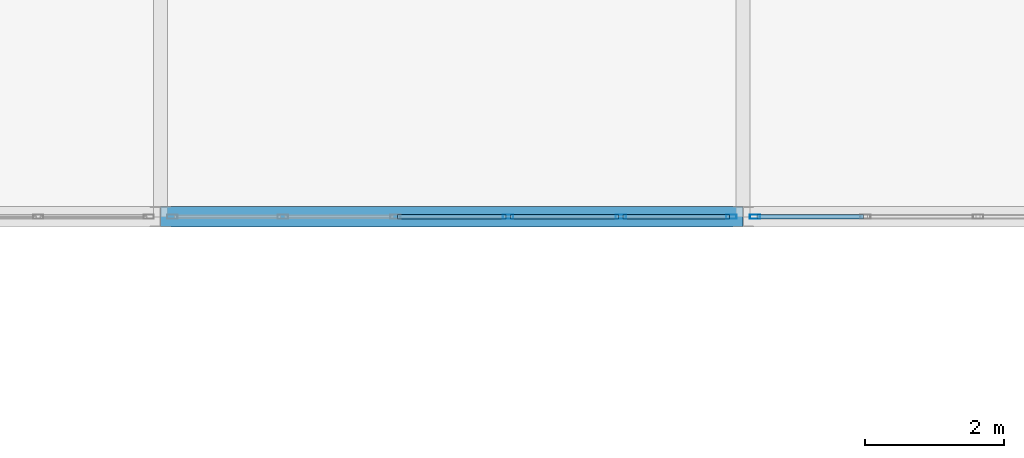
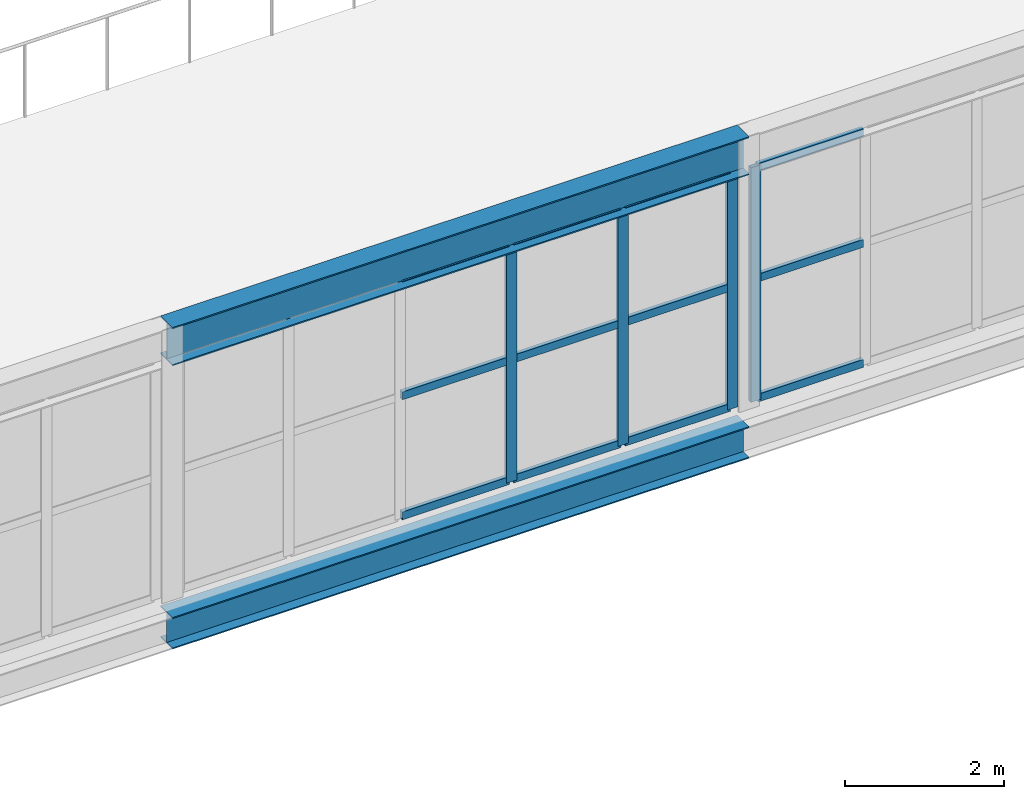
# One storey, part 92 of 218: 16 members, 2 beams, 2 elements without a shape of their own.
"""IFC4 building model written with IfcOpenShell, lengths in metres."""

from ifc_helpers import new_model, si_unit, direction, frame, origin, origin_2d, place, context, subcontext, project, spatial, hollow_rectangle, i_section, extrude, material, material_profile, profile_set, type_object, element, aggregate, save


model = new_model("IFC4")

# Units and contexts
model_context = context("Model", 3, precision=1e-05, world=origin(), true_north=direction((0.0, 1.0)))
body_context = subcontext(model_context, "Body", "Model", "MODEL_VIEW")
ifc_project = project(units=[si_unit("LENGTHUNIT", "METRE"), si_unit("AREAUNIT", "SQUARE_METRE"), si_unit("VOLUMEUNIT", "CUBIC_METRE"), si_unit("PLANEANGLEUNIT", "RADIAN"), si_unit("MASSUNIT", "GRAM", prefix="KILO")], contexts=[model_context])

# Site, building, storey
site_placement = place(None, origin())
site = spatial("IfcSite", under=ifc_project, at=site_placement, CompositionType="ELEMENT")
building_placement = place(site_placement, origin())
building = spatial("IfcBuilding", under=site, at=building_placement, Name="Kazenagashi Tramway Depot", CompositionType="ELEMENT")
storey_placement = place(building_placement, frame((0.0, 0.0, 6.0)))
storey = spatial("IfcBuildingStorey", under=building, at=storey_placement, Name="L02", CompositionType="ELEMENT", Elevation=6.0)

# Curtain wall, members
ifc_material_1 = material(Name="Anodised Aluminium and Low-E Glazing", Category="aluminium")
curtain_wall_type = type_object("IfcCurtainWallType", Name="CW-11", PredefinedType="USERDEFINED", material=ifc_material_1)
curtain_wall_1_placement = place(storey_placement, origin())
curtain_wall_1 = element("IfcCurtainWall", 1, at=curtain_wall_1_placement, inside=storey, type_object=curtain_wall_type, Name="Industrial Glazed Screen CW-11 CW-0023", ObjectType="GLAZED SCREEN", PredefinedType="USERDEFINED")
ifc_material_2 = material(Name="Anodised Aluminium", Category="aluminium")
ifc_material_profile_1 = material_profile(ifc_material_2, hollow_rectangle(XDim=0.06, YDim=0.15, WallThickness=0.004, at=origin_2d()), Name="RHS-150x60x4")
ifc_profile_set_1 = profile_set([ifc_material_profile_1], Name="Anodised Aluminium")
member_type_1 = type_object("IfcMemberType", Name="ML-01", PredefinedType="MULLION", material=ifc_profile_set_1)
member_1_placement = place(storey_placement, frame((75.012, 70.0, 0.0), z_axis=(0.0, 0.0, 1.0), x_axis=(0.0, 1.0, 0.0)))
member_1 = element("IfcMember", 2, at=member_1_placement, type_object=member_type_1, Name="CW-11 mullion 4", PredefinedType="MULLION", context=body_context, shape_type="SweptSolid", body=[
    extrude(hollow_rectangle(XDim=0.06, YDim=0.15, WallThickness=0.004, at=origin_2d()), origin(), (0.0, 0.0, 1.0), 3.612),
])
member_2_placement = place(storey_placement, frame((76.636, 70.0, 0.0), z_axis=(0.0, 0.0, 1.0), x_axis=(0.0, 1.0, 0.0)))
member_2 = element("IfcMember", 3, at=member_2_placement, type_object=member_type_1, Name="CW-11 mullion 5", PredefinedType="MULLION", context=body_context, shape_type="SweptSolid", body=[
    extrude(hollow_rectangle(XDim=0.06, YDim=0.15, WallThickness=0.004, at=origin_2d()), origin(), (0.0, 0.0, 1.0), 3.612),
])
member_3_placement = place(storey_placement, frame((78.23, 70.0, 0.0), z_axis=(0.0, 0.0, 1.0), x_axis=(0.0, 1.0, 0.0)))
member_3 = element("IfcMember", 4, at=member_3_placement, type_object=member_type_1, Name="CW-11 mullion 6", PredefinedType="MULLION", context=body_context, shape_type="SweptSolid", body=[
    extrude(hollow_rectangle(XDim=0.06, YDim=0.15, WallThickness=0.004, at=origin_2d()), origin(), (0.0, 0.0, 1.0), 3.612),
])

# Curtain wall, member
curtain_wall_2_placement = place(storey_placement, origin())
curtain_wall_2 = element("IfcCurtainWall", 5, at=curtain_wall_2_placement, inside=storey, type_object=curtain_wall_type, Name="Industrial Glazed Screen CW-11 CW-0026", ObjectType="GLAZED SCREEN", PredefinedType="USERDEFINED")
member_4_placement = place(storey_placement, frame((78.57, 70.0, 0.0), z_axis=(0.0, 0.0, 1.0), x_axis=(0.0, 1.0, 0.0)))
member_4 = element("IfcMember", 6, at=member_4_placement, type_object=member_type_1, Name="CW-11 mullion 1", PredefinedType="MULLION", context=body_context, shape_type="SweptSolid", body=[
    extrude(hollow_rectangle(XDim=0.06, YDim=0.15, WallThickness=0.004, at=origin_2d()), origin(), (0.0, 0.0, 1.0), 3.612),
])

# Beams
ifc_material_3 = material(Name="Steel SN490B", Category="steel")
ifc_material_profile_2 = material_profile(ifc_material_3, i_section(OverallWidth=0.3, OverallDepth=0.588, WebThickness=0.012, FlangeThickness=0.02, at=origin_2d()), Name="H-588x300x12x20")
ifc_profile_set_2 = profile_set([ifc_material_profile_2], Name="Steel SN490B")
beam_type_1 = type_object("IfcBeamType", Name="SP-01", PredefinedType="SPANDREL", material=ifc_profile_set_2)
beam_1_placement = place(storey_placement, frame((70.0, 70.0, 3.906), z_axis=(1.0, 0.0, 0.0), x_axis=(0.0, 1.0, 0.0)))
element("IfcBeam", 7, at=beam_1_placement, inside=storey, type_object=beam_type_1, Name="Beam SP-01 BM-1847", PredefinedType="SPANDREL", context=body_context, shape_type="SweptSolid", body=[
    extrude(i_section(OverallWidth=0.3, OverallDepth=0.588, WebThickness=0.012, FlangeThickness=0.02, at=origin_2d()), origin(), (0.0, 0.0, 1.0), 8.4),
])
ifc_material_profile_3 = material_profile(ifc_material_3, i_section(OverallWidth=0.3, OverallDepth=0.488, WebThickness=0.011, FlangeThickness=0.018, at=origin_2d()), Name="H-488x300x11x18")
ifc_profile_set_3 = profile_set([ifc_material_profile_3], Name="Steel SN490B")
beam_type_2 = type_object("IfcBeamType", Name="SP-02", PredefinedType="SPANDREL", material=ifc_profile_set_3)
beam_2_placement = place(storey_placement, frame((70.0, 70.0, -0.509), z_axis=(1.0, 0.0, 0.0), x_axis=(0.0, 1.0, 0.0)))
element("IfcBeam", 8, at=beam_2_placement, inside=storey, type_object=beam_type_2, Name="Beam SP-02 BM-1704", PredefinedType="SPANDREL", context=body_context, shape_type="SweptSolid", body=[
    extrude(i_section(OverallWidth=0.3, OverallDepth=0.488, WebThickness=0.011, FlangeThickness=0.018, at=origin_2d()), origin(), (0.0, 0.0, 1.0), 8.4),
])

# Member
ifc_material_profile_4 = material_profile(ifc_material_2, hollow_rectangle(XDim=0.06, YDim=0.12, WallThickness=0.004, at=origin_2d()), Name="RHS-120x60x4")
ifc_profile_set_4 = profile_set([ifc_material_profile_4], Name="Anodised Aluminium")
member_type_2 = type_object("IfcMemberType", Name="TR-01", PredefinedType="USERDEFINED", material=ifc_profile_set_4)
member_5_placement = place(storey_placement, frame((73.418, 70.0, 0.03), z_axis=(1.0, 0.0, 0.0), x_axis=(0.0, 1.0, 0.0)))
member_5 = element("IfcMember", 9, at=member_5_placement, type_object=member_type_2, Name="CW-11 transom 3.1", ObjectType="TRANSOM", PredefinedType="USERDEFINED", context=body_context, shape_type="SweptSolid", body=[
    extrude(hollow_rectangle(XDim=0.06, YDim=0.12, WallThickness=0.004, at=origin_2d()), origin(), (0.0, 0.0, 1.0), 1.564),
])

member_6_placement = place(storey_placement, frame((73.418, 70.0, 1.878), z_axis=(1.0, 0.0, 0.0), x_axis=(0.0, 1.0, 0.0)))
member_6 = element("IfcMember", 10, at=member_6_placement, type_object=member_type_2, Name="CW-11 transom 3.2", ObjectType="TRANSOM", PredefinedType="USERDEFINED", context=body_context, shape_type="SweptSolid", body=[
    extrude(hollow_rectangle(XDim=0.06, YDim=0.12, WallThickness=0.004, at=origin_2d()), origin(), (0.0, 0.0, 1.0), 1.564),
])

member_7_placement = place(storey_placement, frame((73.418, 70.0, 3.582), z_axis=(1.0, 0.0, 0.0), x_axis=(0.0, 1.0, 0.0)))
member_7 = element("IfcMember", 11, at=member_7_placement, type_object=member_type_2, Name="CW-11 transom 3.3", ObjectType="TRANSOM", PredefinedType="USERDEFINED", context=body_context, shape_type="SweptSolid", body=[
    extrude(hollow_rectangle(XDim=0.06, YDim=0.12, WallThickness=0.004, at=origin_2d()), origin(), (0.0, 0.0, 1.0), 1.564),
])

member_8_placement = place(storey_placement, frame((75.042, 70.0, 0.03), z_axis=(1.0, 0.0, 0.0), x_axis=(0.0, 1.0, 0.0)))
member_8 = element("IfcMember", 12, at=member_8_placement, type_object=member_type_2, Name="CW-11 transom 4.1", ObjectType="TRANSOM", PredefinedType="USERDEFINED", context=body_context, shape_type="SweptSolid", body=[
    extrude(hollow_rectangle(XDim=0.06, YDim=0.12, WallThickness=0.004, at=origin_2d()), origin(), (0.0, 0.0, 1.0), 1.564),
])

member_9_placement = place(storey_placement, frame((75.042, 70.0, 1.878), z_axis=(1.0, 0.0, 0.0), x_axis=(0.0, 1.0, 0.0)))
member_9 = element("IfcMember", 13, at=member_9_placement, type_object=member_type_2, Name="CW-11 transom 4.2", ObjectType="TRANSOM", PredefinedType="USERDEFINED", context=body_context, shape_type="SweptSolid", body=[
    extrude(hollow_rectangle(XDim=0.06, YDim=0.12, WallThickness=0.004, at=origin_2d()), origin(), (0.0, 0.0, 1.0), 1.564),
])

member_10_placement = place(storey_placement, frame((75.042, 70.0, 3.582), z_axis=(1.0, 0.0, 0.0), x_axis=(0.0, 1.0, 0.0)))
member_10 = element("IfcMember", 14, at=member_10_placement, type_object=member_type_2, Name="CW-11 transom 4.3", ObjectType="TRANSOM", PredefinedType="USERDEFINED", context=body_context, shape_type="SweptSolid", body=[
    extrude(hollow_rectangle(XDim=0.06, YDim=0.12, WallThickness=0.004, at=origin_2d()), origin(), (0.0, 0.0, 1.0), 1.564),
])

member_11_placement = place(storey_placement, frame((76.666, 70.0, 0.03), z_axis=(1.0, 0.0, 0.0), x_axis=(0.0, 1.0, 0.0)))
member_11 = element("IfcMember", 15, at=member_11_placement, type_object=member_type_2, Name="CW-11 transom 5.1", ObjectType="TRANSOM", PredefinedType="USERDEFINED", context=body_context, shape_type="SweptSolid", body=[
    extrude(hollow_rectangle(XDim=0.06, YDim=0.12, WallThickness=0.004, at=origin_2d()), origin(), (0.0, 0.0, 1.0), 1.534),
])

member_12_placement = place(storey_placement, frame((76.666, 70.0, 1.878), z_axis=(1.0, 0.0, 0.0), x_axis=(0.0, 1.0, 0.0)))
member_12 = element("IfcMember", 16, at=member_12_placement, type_object=member_type_2, Name="CW-11 transom 5.2", ObjectType="TRANSOM", PredefinedType="USERDEFINED", context=body_context, shape_type="SweptSolid", body=[
    extrude(hollow_rectangle(XDim=0.06, YDim=0.12, WallThickness=0.004, at=origin_2d()), origin(), (0.0, 0.0, 1.0), 1.534),
])

member_13_placement = place(storey_placement, frame((76.666, 70.0, 3.582), z_axis=(1.0, 0.0, 0.0), x_axis=(0.0, 1.0, 0.0)))
member_13 = element("IfcMember", 17, at=member_13_placement, type_object=member_type_2, Name="CW-11 transom 5.3", ObjectType="TRANSOM", PredefinedType="USERDEFINED", context=body_context, shape_type="SweptSolid", body=[
    extrude(hollow_rectangle(XDim=0.06, YDim=0.12, WallThickness=0.004, at=origin_2d()), origin(), (0.0, 0.0, 1.0), 1.534),
])

aggregate(curtain_wall_1, [member_1, member_2, member_3, member_5, member_6, member_7, member_8, member_9, member_10, member_11, member_12, member_13])

member_14_placement = place(storey_placement, frame((78.6, 70.0, 0.03), z_axis=(1.0, 0.0, 0.0), x_axis=(0.0, 1.0, 0.0)))
member_14 = element("IfcMember", 18, at=member_14_placement, type_object=member_type_2, Name="CW-11 transom 1.1", ObjectType="TRANSOM", PredefinedType="USERDEFINED", context=body_context, shape_type="SweptSolid", body=[
    extrude(hollow_rectangle(XDim=0.06, YDim=0.12, WallThickness=0.004, at=origin_2d()), origin(), (0.0, 0.0, 1.0), 1.534),
])

member_15_placement = place(storey_placement, frame((78.6, 70.0, 1.878), z_axis=(1.0, 0.0, 0.0), x_axis=(0.0, 1.0, 0.0)))
member_15 = element("IfcMember", 19, at=member_15_placement, type_object=member_type_2, Name="CW-11 transom 1.2", ObjectType="TRANSOM", PredefinedType="USERDEFINED", context=body_context, shape_type="SweptSolid", body=[
    extrude(hollow_rectangle(XDim=0.06, YDim=0.12, WallThickness=0.004, at=origin_2d()), origin(), (0.0, 0.0, 1.0), 1.534),
])

member_16_placement = place(storey_placement, frame((78.6, 70.0, 3.582), z_axis=(1.0, 0.0, 0.0), x_axis=(0.0, 1.0, 0.0)))
member_16 = element("IfcMember", 20, at=member_16_placement, type_object=member_type_2, Name="CW-11 transom 1.3", ObjectType="TRANSOM", PredefinedType="USERDEFINED", context=body_context, shape_type="SweptSolid", body=[
    extrude(hollow_rectangle(XDim=0.06, YDim=0.12, WallThickness=0.004, at=origin_2d()), origin(), (0.0, 0.0, 1.0), 1.534),
])

aggregate(curtain_wall_2, [member_4, member_14, member_15, member_16])

save(model, "model.ifc")
